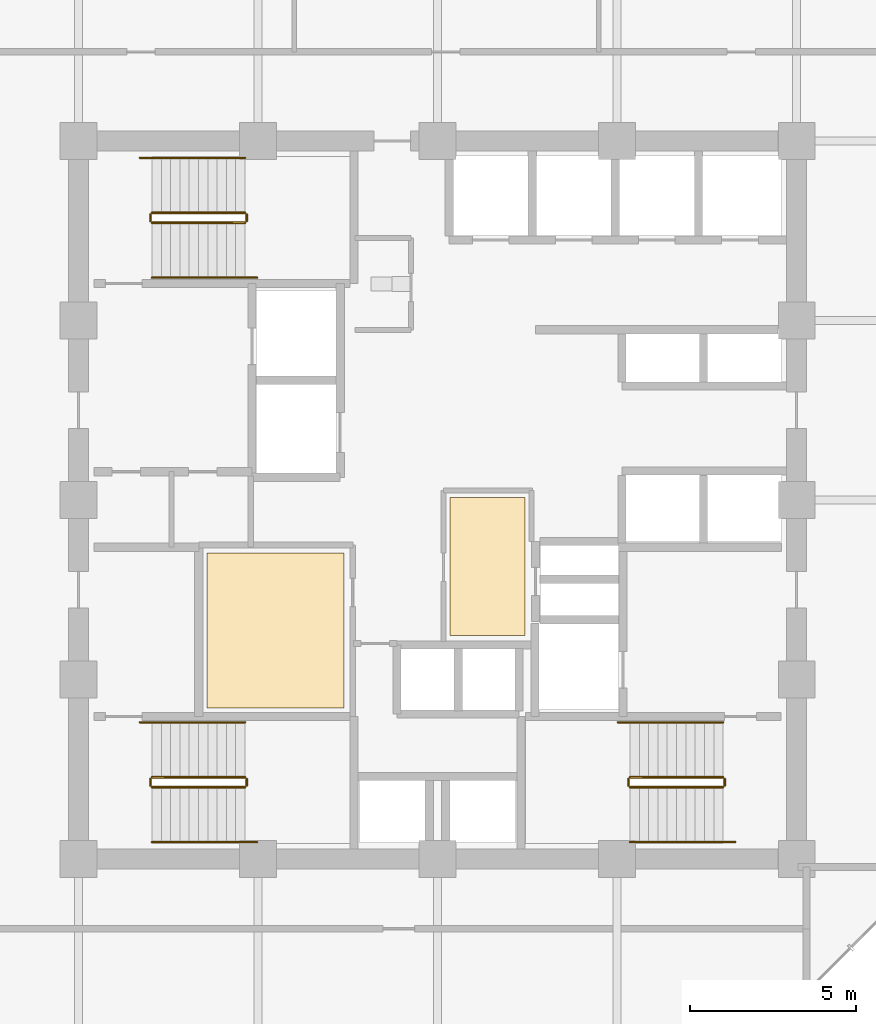
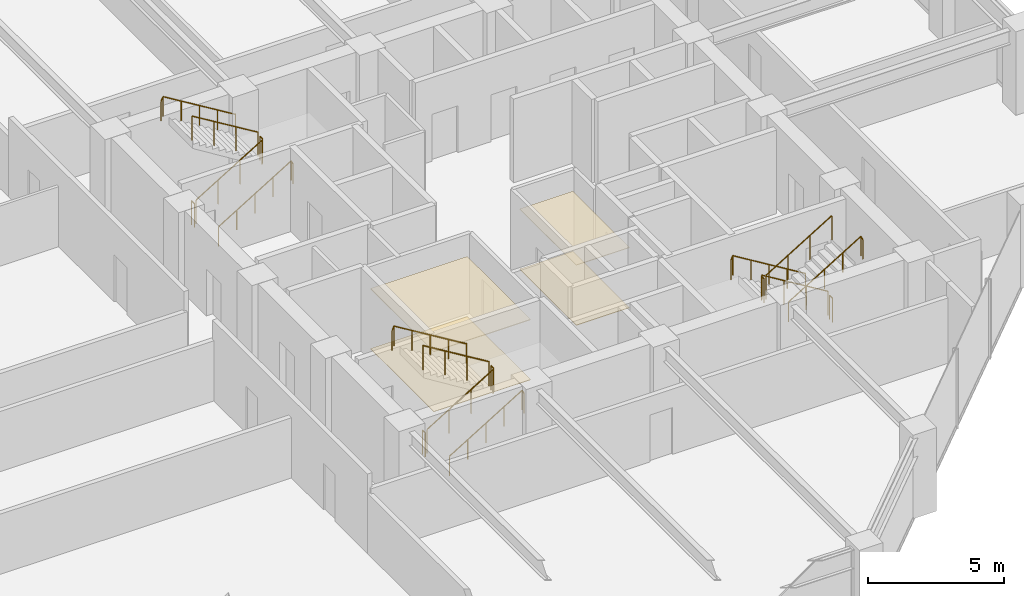
# One storey, part 22 of 23: 18 railings, 4 coverings.
"""IFC4 building model written with IfcOpenShell, lengths in metres."""

import ifcopenshell
import ifcopenshell.guid

model = None  # the IFC model being written
_history = None  # IfcOwnerHistory: only IFC2X3 demands one
_inside = {}  # id of a spatial element -> (the spatial element, [elements in it])
_under = {}  # id of a project, library or spatial element -> (it, [spatial elements below it])
_declared = {}  # id of a project -> (the project, [libraries it declares])
_typed = {}  # id of a type object -> (the type object, [elements of that type])
_made_of = {}  # id of a material, layer set ... -> (it, [elements and type objects made of it])


def new_model(schema):
    """Start an empty IFC model of exactly this schema.

    Asked for "IFC4X3", IfcOpenShell would pick the latest addendum, in which some entities
    have other attributes; the version numbers below select the first issue.
    IFC2X3 requires an IfcOwnerHistory on every rooted entity: one is made here for all.
    """
    global model, _history
    if schema == "IFC4X3":
        model = ifcopenshell.file(schema_version=(4, 3, 0, 0))
    else:
        model = ifcopenshell.file(schema=schema)
    _inside.clear()
    _under.clear()
    _declared.clear()
    _typed.clear()
    _made_of.clear()
    _history = None
    if model.schema == "IFC2X3":
        org = make("IfcOrganization", Name="unknown")
        user = make(
            "IfcPersonAndOrganization",
            ThePerson=make("IfcPerson", FamilyName="unknown"),
            TheOrganization=org,
        )
        app = make(
            "IfcApplication",
            ApplicationDeveloper=org,
            Version="unknown",
            ApplicationFullName="unknown",
            ApplicationIdentifier="unknown",
        )
        _history = make(
            "IfcOwnerHistory",
            OwningUser=user,
            OwningApplication=app,
            ChangeAction="ADDED",
            CreationDate=0,
        )
    return model


def make(cls, **values):
    """One entity of the class cls with the attributes given. An attribute that is None is left unset."""
    return model.create_entity(
        cls, **{name: value for name, value in values.items() if value is not None}
    )


def rooted(cls, **values):
    """An entity with a GlobalId (a new one), such as an element, a storey or a relation."""
    return make(cls, GlobalId=ifcopenshell.guid.new(), OwnerHistory=_history, **values)


def si_unit(unit_type, name, prefix=None):
    """IfcSIUnit, for example si_unit("LENGTHUNIT", "METRE", prefix="MILLI")."""
    return make("IfcSIUnit", UnitType=unit_type, Prefix=prefix, Name=name)


def assignment(units):
    """IfcUnitAssignment: the units of a project."""
    return None if units is None else make("IfcUnitAssignment", Units=units)


def point(xyz):
    """IfcCartesianPoint."""
    return None if xyz is None else make("IfcCartesianPoint", Coordinates=xyz)


def direction(xyz):
    """IfcDirection."""
    return None if xyz is None else make("IfcDirection", DirectionRatios=xyz)


def frame(location, z_axis=None, x_axis=None):
    """IfcAxis2Placement3D, a coordinate frame: its origin and axes. An axis left out is left unset."""
    return make(
        "IfcAxis2Placement3D",
        Location=point(location),
        Axis=direction(z_axis),
        RefDirection=direction(x_axis),
    )


def frame_2d(location, x_axis=None):
    """IfcAxis2Placement2D, a coordinate frame in the plane: its origin and x axis."""
    return make(
        "IfcAxis2Placement2D", Location=point(location), RefDirection=direction(x_axis)
    )


def origin():
    """The frame at (0, 0, 0) with its axes left unset."""
    return frame((0.0, 0.0, 0.0))


def origin_2d():
    """The frame at (0, 0) in the plane with its x axis left unset."""
    return frame_2d((0.0, 0.0))


def place(relative_to, where):
    """IfcLocalPlacement: puts the frame where relative to a parent placement (None: the world)."""
    return make(
        "IfcLocalPlacement", PlacementRelTo=relative_to, RelativePlacement=where
    )


def context(
    kind, dimensions, precision=None, world=None, true_north=None, identifier=None
):
    """IfcGeometricRepresentationContext, for example the 3D "Model" context."""
    return make(
        "IfcGeometricRepresentationContext",
        ContextIdentifier=identifier,
        ContextType=kind,
        CoordinateSpaceDimension=dimensions,
        Precision=precision,
        WorldCoordinateSystem=world,
        TrueNorth=true_north,
    )


def subcontext(parent, identifier, kind, view, scale=None):
    """IfcGeometricRepresentationSubContext, for example "Body" below "Model"."""
    return make(
        "IfcGeometricRepresentationSubContext",
        ContextIdentifier=identifier,
        ContextType=kind,
        ParentContext=parent,
        TargetScale=scale,
        TargetView=view,
    )


def project(units=None, contexts=None):
    """IfcProject with its units and contexts."""
    return rooted(
        "IfcProject",
        Name="project",
        RepresentationContexts=contexts,
        UnitsInContext=assignment(units),
    )


def spatial(cls, under=None, at=None, **own):
    """A site, building, storey or space (cls), placed at a placement, below another one or the project."""
    s = rooted(cls, ObjectPlacement=at, **own)
    if under is not None:
        _under.setdefault(under.id(), (under, []))[1].append(s)
    return s


def polyline(points):
    """IfcPolyline through the points."""
    return make("IfcPolyline", Points=[point(p) for p in points])


def profile(cls, at=None, kind="AREA", **sizes):
    """A parametric profile (cls). Its sizes go by their IFC names, for example OverallWidth=200.0."""
    return make(cls, ProfileType=kind, Position=at, **sizes)


def circle(**sizes):
    """IfcCircleProfileDef."""
    return profile("IfcCircleProfileDef", **sizes)


def outline(outer, holes=None, kind="AREA"):
    """IfcArbitraryClosedProfileDef: a profile drawn as a closed curve; with holes, ...WithVoids."""
    if holes is None:
        return make("IfcArbitraryClosedProfileDef", ProfileType=kind, OuterCurve=outer)
    return make(
        "IfcArbitraryProfileDefWithVoids",
        ProfileType=kind,
        OuterCurve=outer,
        InnerCurves=holes,
    )


def extrude(swept, where, along, depth):
    """IfcExtrudedAreaSolid: the profile swept, set in the frame where, extruded along a direction by depth."""
    return make(
        "IfcExtrudedAreaSolid",
        SweptArea=swept,
        Position=where,
        ExtrudedDirection=direction(along),
        Depth=depth,
    )


def shape(context_of_items, identifier, shape_type, items):
    """IfcShapeRepresentation: the items that make up one representation, for example the "Body"."""
    return make(
        "IfcShapeRepresentation",
        ContextOfItems=context_of_items,
        RepresentationIdentifier=identifier,
        RepresentationType=shape_type,
        Items=items,
    )


def material(Name=None, Category=None):
    """IfcMaterial."""
    return make("IfcMaterial", Name=Name, Category=Category)


def layer(
    of_material, thickness, ventilated=None, Name=None, Category=None, Priority=None
):
    """IfcMaterialLayer: one layer of a wall or slab, of a material (None: an air gap)."""
    return make(
        "IfcMaterialLayer",
        Material=of_material,
        LayerThickness=thickness,
        IsVentilated=ventilated,
        Name=Name,
        Category=Category,
        Priority=Priority,
    )


def layer_set(layers, Name=None):
    """IfcMaterialLayerSet."""
    return make("IfcMaterialLayerSet", MaterialLayers=layers, LayerSetName=Name)


def made_of(thing, what):
    """Note that an element or type object is made of a material, layer set ...; save() writes the relation."""
    if what is not None:
        _made_of.setdefault(what.id(), (what, []))[1].append(thing)
    return thing


def type_object(cls, material=None, **own):
    """A type object (cls), such as IfcWallType, which elements share."""
    return made_of(rooted(cls, **own), material)


def element(
    cls,
    number,
    at=None,
    inside=None,
    cuts=None,
    type_object=None,
    material=None,
    context=None,
    identifier="Body",
    shape_type=None,
    held_by="IfcProductDefinitionShape",
    body=None,
    shapes=None,
    **own,
):
    """One element of the class cls, such as IfcWall. Its Tag is "e" and its number.

    at: its placement. inside: the storey or other place that contains it. cuts: it is an
    opening in that element (IfcRelVoidsElement). A single representation is given by context,
    identifier, shape_type and body (its items); several are given by shapes. held_by: the class
    of the entity that holds the representations. save() writes the other relations.
    """
    e = rooted(cls, Tag="e%d" % number, ObjectPlacement=at, **own)
    if body is not None:
        shapes = [shape(context, identifier, shape_type, body)]
    if shapes is not None:
        e.Representation = make(held_by, Representations=shapes)
    if inside is not None:
        _inside.setdefault(inside.id(), (inside, []))[1].append(e)
    if cuts is not None:
        rooted(
            "IfcRelVoidsElement", RelatingBuildingElement=cuts, RelatedOpeningElement=e
        )
    if type_object is not None:
        _typed.setdefault(type_object.id(), (type_object, []))[1].append(e)
    return made_of(e, material)


def aggregate(whole, parts):
    """IfcRelAggregates: a whole, such as a stair, and the parts it consists of."""
    return rooted("IfcRelAggregates", RelatingObject=whole, RelatedObjects=parts)


def save(model, path):
    """Write the relations noted so far, then the file.

    IfcRelAggregates (storeys below a building ...), IfcRelContainedInSpatialStructure (elements
    in a storey), IfcRelDefinesByType, IfcRelAssociatesMaterial and IfcRelDeclares: one each for
    every whole, place, type object, material and project.
    """
    for whole, parts in _under.values():
        aggregate(whole, parts)
    for where, things in _inside.values():
        rooted(
            "IfcRelContainedInSpatialStructure",
            RelatedElements=things,
            RelatingStructure=where,
        )
    for kind, things in _typed.values():
        rooted("IfcRelDefinesByType", RelatedObjects=things, RelatingType=kind)
    for what, things in _made_of.values():
        rooted("IfcRelAssociatesMaterial", RelatedObjects=things, RelatingMaterial=what)
    for by, libraries in _declared.values():
        rooted("IfcRelDeclares", RelatingContext=by, RelatedDefinitions=libraries)
    model.write(path)


model = new_model("IFC4")

# Units and contexts
model_context = context("Model", 3, precision=1e-05, world=origin(), true_north=direction((0.0, 1.0)))
body_context = subcontext(model_context, "Body", "Model", "MODEL_VIEW")
ifc_project = project(units=[si_unit("LENGTHUNIT", "METRE"), si_unit("AREAUNIT", "SQUARE_METRE"), si_unit("VOLUMEUNIT", "CUBIC_METRE"), si_unit("PLANEANGLEUNIT", "RADIAN"), si_unit("MASSUNIT", "GRAM", prefix="KILO")], contexts=[model_context])

# Site, building, storey
site_placement = place(None, origin())
site = spatial("IfcSite", under=ifc_project, at=site_placement, CompositionType="ELEMENT")
building_placement = place(site_placement, origin())
building = spatial("IfcBuilding", under=site, at=building_placement, Name="Surkhivell Harbour Commons", CompositionType="ELEMENT")
storey_placement = place(building_placement, frame((0.0, 0.0, 128.25)))
storey = spatial("IfcBuildingStorey", under=building, at=storey_placement, Name="L33", CompositionType="ELEMENT", Elevation=128.25)

# Coverings
ifc_material_1 = material(Name="Perforated acoustic mineral-fibre ceiling tile", Category="other")
ifc_layer_1 = layer(ifc_material_1, 0.02490234375)
ifc_layer_set_1 = layer_set([ifc_layer_1], Name="Perforated acoustic mineral-fibre ceiling tile")
covering_type_1 = type_object("IfcCoveringType", Name="COV-CEIL-AC", PredefinedType="CEILING", material=ifc_layer_set_1)
covering_1_placement = place(storey_placement, frame((0.0, 0.0, 2.694091796875)))
element("IfcCovering", 1, at=covering_1_placement, inside=storey, type_object=covering_type_1, Name="L33 Suspended Acoustic Ceiling 1", PredefinedType="CEILING", context=body_context, shape_type="SweptSolid", body=[
    extrude(outline(polyline([(0.3701171875, -4.080078125), (2.6298828125, -4.080078125), (2.6298828125, 0.080078125), (0.3701171875, 0.080078125), (0.3701171875, -4.080078125)])), origin(), (0.0, 0.0, 1.0), 0.02490234375),
])
ifc_material_2 = material(Name="Moisture-resistant gypsum acoustic ceiling board", Category="other")
ifc_layer_2 = layer(ifc_material_2, 0.030029296875)
ifc_layer_set_2 = layer_set([ifc_layer_2], Name="Moisture-resistant gypsum acoustic ceiling board")
covering_type_2 = type_object("IfcCoveringType", Name="COV-CEIL-GYP", PredefinedType="CEILING", material=ifc_layer_set_2)
covering_2_placement = place(storey_placement, frame((0.0, 0.0, 2.68896484375)))
element("IfcCovering", 2, at=covering_2_placement, inside=storey, type_object=covering_type_2, Name="L33 Suspended Acoustic Ceiling 2", PredefinedType="CEILING", context=body_context, shape_type="SweptSolid", body=[
    extrude(outline(polyline([(-6.929931640625, -6.260009765625), (-2.820068359375, -6.260009765625), (-2.820068359375, -1.60009765625), (-6.929931640625, -1.60009765625), (-6.929931640625, -6.260009765625)])), origin(), (0.0, 0.0, 1.0), 0.030029296875),
])
ifc_material_3 = material(Name="Engineered acoustic oak timber flooring", Category="wood")
ifc_layer_3 = layer(ifc_material_3, 0.02001953125)
ifc_layer_set_3 = layer_set([ifc_layer_3], Name="Engineered acoustic oak timber flooring")
covering_type_3 = type_object("IfcCoveringType", Name="COV-FLR-TIM", PredefinedType="FLOORING", material=ifc_layer_set_3)
covering_3_placement = place(storey_placement, origin())
element("IfcCovering", 3, at=covering_3_placement, inside=storey, type_object=covering_type_3, Name="L33 Interior Floor Finish 1", PredefinedType="FLOORING", context=body_context, shape_type="SweptSolid", body=[
    extrude(outline(polyline([(0.3701171875, -4.080078125), (2.6298828125, -4.080078125), (2.6298828125, 0.080078125), (0.3701171875, 0.080078125), (0.3701171875, -4.080078125)])), origin(), (0.0, 0.0, 1.0), 0.02001953125),
])
covering_4_placement = place(storey_placement, origin())
element("IfcCovering", 4, at=covering_4_placement, inside=storey, type_object=covering_type_3, Name="L33 Interior Floor Finish 2", PredefinedType="FLOORING", context=body_context, shape_type="SweptSolid", body=[
    extrude(outline(polyline([(-6.929931640625, -6.260009765625), (-2.820068359375, -6.260009765625), (-2.820068359375, -1.60009765625), (-6.929931640625, -1.60009765625), (-6.929931640625, -6.260009765625)])), origin(), (0.0, 0.0, 1.0), 0.02001953125),
])

# Railings
ifc_material_4 = material(Name="Galvanised and painted steel S355 guard rail", Category="steel")
railing_type_1 = type_object("IfcRailingType", Name="RAL-ST-GRD1100", PredefinedType="GUARDRAIL", material=ifc_material_4)
railing_1_placement = place(storey_placement, frame((-8.590087890625, 8.340087890625, 0.17041015625)))
element("IfcRailing", 5, at=railing_1_placement, inside=storey, type_object=railing_type_1, Name="L33 ST1 stair guard 1", PredefinedType="GUARDRAIL", context=body_context, shape_type="SweptSolid", body=[
    extrude(circle(Radius=0.02392578125, at=origin_2d()), frame((0.0, 0.0, 1.076171875), z_axis=(0.854169791009, 0.0, 0.51999420009), x_axis=(0.0, 1.0, 0.0)), (0.0, 0.0, 1.0), 3.278076171875),
    extrude(circle(Radius=0.02099609375, at=origin_2d()), origin(), (0.0, 0.0, 1.0), 1.052001953125),
    extrude(circle(Radius=0.02099609375, at=origin_2d()), frame((0.933349609375, 0.0, 0.568115234375)), (0.0, 0.0, 1.0), 1.052001953125),
    extrude(circle(Radius=0.02099609375, at=origin_2d()), frame((1.86669921875, 0.0, 1.136474609375)), (0.0, 0.0, 1.0), 1.052001953125),
    extrude(circle(Radius=0.02099609375, at=origin_2d()), frame((2.800048828125, 0.0, 1.70458984375)), (0.0, 0.0, 1.0), 1.052001953125),
])
railing_2_placement = place(storey_placement, frame((-5.739990234375, 8.389892578125, 1.875)))
element("IfcRailing", 6, at=railing_2_placement, inside=storey, type_object=railing_type_1, Name="L33 ST1 stair guard 2", PredefinedType="GUARDRAIL", context=body_context, shape_type="SweptSolid", body=[
    extrude(circle(Radius=0.02392578125, at=origin_2d()), frame((0.0, 0.0, 1.076171875), z_axis=(0.0, 1.0, 0.0), x_axis=(-1.0, 0.0, 0.0)), (0.0, 0.0, 1.0), 0.2001953125),
    extrude(circle(Radius=0.02099609375, at=origin_2d()), origin(), (0.0, 0.0, 1.0), 1.052001953125),
    extrude(circle(Radius=0.02099609375, at=origin_2d()), frame((0.0, 0.2001953125, 0.0)), (0.0, 0.0, 1.0), 1.052001953125),
])
railing_3_placement = place(storey_placement, frame((-5.7900390625, 8.639892578125, 2.04541015625)))
element("IfcRailing", 7, at=railing_3_placement, inside=storey, type_object=railing_type_1, Name="L33 ST1 stair guard 3", PredefinedType="GUARDRAIL", context=body_context, shape_type="SweptSolid", body=[
    extrude(circle(Radius=0.02392578125, at=origin_2d()), frame((0.0, 0.0, 1.076171875), z_axis=(-0.854169791009, 0.0, 0.51999420009), x_axis=(0.0, -1.0, 0.0)), (0.0, 0.0, 1.0), 3.278076171875),
    extrude(circle(Radius=0.02099609375, at=origin_2d()), origin(), (0.0, 0.0, 1.0), 1.052001953125),
    extrude(circle(Radius=0.02099609375, at=origin_2d()), frame((-0.933349609375, 0.0, 0.568115234375)), (0.0, 0.0, 1.0), 1.052001953125),
    extrude(circle(Radius=0.02099609375, at=origin_2d()), frame((-1.86669921875, 0.0, 1.136474609375)), (0.0, 0.0, 1.0), 1.052001953125),
    extrude(circle(Radius=0.02099609375, at=origin_2d()), frame((-2.800048828125, 0.0, 1.70458984375)), (0.0, 0.0, 1.0), 1.052001953125),
])
railing_4_placement = place(storey_placement, frame((-8.639892578125, 8.389892578125, 0.0)))
element("IfcRailing", 8, at=railing_4_placement, inside=storey, type_object=railing_type_1, Name="L33 ST1 stair guard 4", PredefinedType="GUARDRAIL", context=body_context, shape_type="SweptSolid", body=[
    extrude(circle(Radius=0.02392578125, at=origin_2d()), frame((0.0, 0.0, 1.076171875), z_axis=(0.0, 1.0, 0.0), x_axis=(-1.0, 0.0, 0.0)), (0.0, 0.0, 1.0), 0.2001953125),
    extrude(circle(Radius=0.02099609375, at=origin_2d()), origin(), (0.0, 0.0, 1.0), 1.052001953125),
    extrude(circle(Radius=0.02099609375, at=origin_2d()), frame((0.0, 0.2001953125, 0.0)), (0.0, 0.0, 1.0), 1.052001953125),
])
railing_5_placement = place(storey_placement, frame((8.590087890625, -8.340087890625, 0.17041015625)))
element("IfcRailing", 9, at=railing_5_placement, inside=storey, type_object=railing_type_1, Name="L33 ST2 stair guard 1", PredefinedType="GUARDRAIL", context=body_context, shape_type="SweptSolid", body=[
    extrude(circle(Radius=0.02392578125, at=origin_2d()), frame((0.0, 0.0, 1.076171875), z_axis=(-0.854169791009, 0.0, 0.51999420009), x_axis=(0.0, -1.0, 0.0)), (0.0, 0.0, 1.0), 3.278076171875),
    extrude(circle(Radius=0.02099609375, at=origin_2d()), origin(), (0.0, 0.0, 1.0), 1.052001953125),
    extrude(circle(Radius=0.02099609375, at=origin_2d()), frame((-0.933349609375, 0.0, 0.568115234375)), (0.0, 0.0, 1.0), 1.052001953125),
    extrude(circle(Radius=0.02099609375, at=origin_2d()), frame((-1.86669921875, 0.0, 1.136474609375)), (0.0, 0.0, 1.0), 1.052001953125),
    extrude(circle(Radius=0.02099609375, at=origin_2d()), frame((-2.800048828125, 0.0, 1.70458984375)), (0.0, 0.0, 1.0), 1.052001953125),
])
railing_6_placement = place(storey_placement, frame((5.739990234375, -8.389892578125, 1.875)))
element("IfcRailing", 10, at=railing_6_placement, inside=storey, type_object=railing_type_1, Name="L33 ST2 stair guard 2", PredefinedType="GUARDRAIL", context=body_context, shape_type="SweptSolid", body=[
    extrude(circle(Radius=0.02392578125, at=origin_2d()), frame((0.0, 0.0, 1.076171875), z_axis=(0.0, -1.0, 0.0), x_axis=(1.0, 0.0, 0.0)), (0.0, 0.0, 1.0), 0.2001953125),
    extrude(circle(Radius=0.02099609375, at=origin_2d()), origin(), (0.0, 0.0, 1.0), 1.052001953125),
    extrude(circle(Radius=0.02099609375, at=origin_2d()), frame((0.0, -0.2001953125, 0.0)), (0.0, 0.0, 1.0), 1.052001953125),
])
railing_7_placement = place(storey_placement, frame((5.7900390625, -8.639892578125, 2.04541015625)))
element("IfcRailing", 11, at=railing_7_placement, inside=storey, type_object=railing_type_1, Name="L33 ST2 stair guard 3", PredefinedType="GUARDRAIL", context=body_context, shape_type="SweptSolid", body=[
    extrude(circle(Radius=0.02392578125, at=origin_2d()), frame((0.0, 0.0, 1.076171875), z_axis=(0.854169791009, 0.0, 0.51999420009), x_axis=(0.0, 1.0, 0.0)), (0.0, 0.0, 1.0), 3.278076171875),
    extrude(circle(Radius=0.02099609375, at=origin_2d()), origin(), (0.0, 0.0, 1.0), 1.052001953125),
    extrude(circle(Radius=0.02099609375, at=origin_2d()), frame((0.933349609375, 0.0, 0.568115234375)), (0.0, 0.0, 1.0), 1.052001953125),
    extrude(circle(Radius=0.02099609375, at=origin_2d()), frame((1.86669921875, 0.0, 1.136474609375)), (0.0, 0.0, 1.0), 1.052001953125),
    extrude(circle(Radius=0.02099609375, at=origin_2d()), frame((2.800048828125, 0.0, 1.70458984375)), (0.0, 0.0, 1.0), 1.052001953125),
])
railing_8_placement = place(storey_placement, frame((8.639892578125, -8.389892578125, 0.0)))
element("IfcRailing", 12, at=railing_8_placement, inside=storey, type_object=railing_type_1, Name="L33 ST2 stair guard 4", PredefinedType="GUARDRAIL", context=body_context, shape_type="SweptSolid", body=[
    extrude(circle(Radius=0.02392578125, at=origin_2d()), frame((0.0, 0.0, 1.076171875), z_axis=(0.0, -1.0, 0.0), x_axis=(1.0, 0.0, 0.0)), (0.0, 0.0, 1.0), 0.2001953125),
    extrude(circle(Radius=0.02099609375, at=origin_2d()), origin(), (0.0, 0.0, 1.0), 1.052001953125),
    extrude(circle(Radius=0.02099609375, at=origin_2d()), frame((0.0, -0.2001953125, 0.0)), (0.0, 0.0, 1.0), 1.052001953125),
])
railing_9_placement = place(storey_placement, frame((-8.590087890625, -8.639892578125, 0.17041015625)))
element("IfcRailing", 13, at=railing_9_placement, inside=storey, type_object=railing_type_1, Name="L33 ST3 stair guard 1", PredefinedType="GUARDRAIL", context=body_context, shape_type="SweptSolid", body=[
    extrude(circle(Radius=0.02392578125, at=origin_2d()), frame((0.0, 0.0, 1.076171875), z_axis=(0.854169791009, 0.0, 0.51999420009), x_axis=(0.0, 1.0, 0.0)), (0.0, 0.0, 1.0), 3.278076171875),
    extrude(circle(Radius=0.02099609375, at=origin_2d()), origin(), (0.0, 0.0, 1.0), 1.052001953125),
    extrude(circle(Radius=0.02099609375, at=origin_2d()), frame((0.933349609375, 0.0, 0.568115234375)), (0.0, 0.0, 1.0), 1.052001953125),
    extrude(circle(Radius=0.02099609375, at=origin_2d()), frame((1.86669921875, 0.0, 1.136474609375)), (0.0, 0.0, 1.0), 1.052001953125),
    extrude(circle(Radius=0.02099609375, at=origin_2d()), frame((2.800048828125, 0.0, 1.70458984375)), (0.0, 0.0, 1.0), 1.052001953125),
])
railing_10_placement = place(storey_placement, frame((-5.739990234375, -8.590087890625, 1.875)))
element("IfcRailing", 14, at=railing_10_placement, inside=storey, type_object=railing_type_1, Name="L33 ST3 stair guard 2", PredefinedType="GUARDRAIL", context=body_context, shape_type="SweptSolid", body=[
    extrude(circle(Radius=0.02392578125, at=origin_2d()), frame((0.0, 0.0, 1.076171875), z_axis=(0.0, 1.0, 0.0), x_axis=(-1.0, 0.0, 0.0)), (0.0, 0.0, 1.0), 0.2001953125),
    extrude(circle(Radius=0.02099609375, at=origin_2d()), origin(), (0.0, 0.0, 1.0), 1.052001953125),
    extrude(circle(Radius=0.02099609375, at=origin_2d()), frame((0.0, 0.2001953125, 0.0)), (0.0, 0.0, 1.0), 1.052001953125),
])
railing_11_placement = place(storey_placement, frame((-5.7900390625, -8.340087890625, 2.04541015625)))
element("IfcRailing", 15, at=railing_11_placement, inside=storey, type_object=railing_type_1, Name="L33 ST3 stair guard 3", PredefinedType="GUARDRAIL", context=body_context, shape_type="SweptSolid", body=[
    extrude(circle(Radius=0.02392578125, at=origin_2d()), frame((0.0, 0.0, 1.076171875), z_axis=(-0.854169791009, 0.0, 0.51999420009), x_axis=(0.0, -1.0, 0.0)), (0.0, 0.0, 1.0), 3.278076171875),
    extrude(circle(Radius=0.02099609375, at=origin_2d()), origin(), (0.0, 0.0, 1.0), 1.052001953125),
    extrude(circle(Radius=0.02099609375, at=origin_2d()), frame((-0.933349609375, 0.0, 0.568115234375)), (0.0, 0.0, 1.0), 1.052001953125),
    extrude(circle(Radius=0.02099609375, at=origin_2d()), frame((-1.86669921875, 0.0, 1.136474609375)), (0.0, 0.0, 1.0), 1.052001953125),
    extrude(circle(Radius=0.02099609375, at=origin_2d()), frame((-2.800048828125, 0.0, 1.70458984375)), (0.0, 0.0, 1.0), 1.052001953125),
])
railing_12_placement = place(storey_placement, frame((-8.639892578125, -8.590087890625, 0.0)))
element("IfcRailing", 16, at=railing_12_placement, inside=storey, type_object=railing_type_1, Name="L33 ST3 stair guard 4", PredefinedType="GUARDRAIL", context=body_context, shape_type="SweptSolid", body=[
    extrude(circle(Radius=0.02392578125, at=origin_2d()), frame((0.0, 0.0, 1.076171875), z_axis=(0.0, 1.0, 0.0), x_axis=(-1.0, 0.0, 0.0)), (0.0, 0.0, 1.0), 0.2001953125),
    extrude(circle(Radius=0.02099609375, at=origin_2d()), origin(), (0.0, 0.0, 1.0), 1.052001953125),
    extrude(circle(Radius=0.02099609375, at=origin_2d()), frame((0.0, 0.2001953125, 0.0)), (0.0, 0.0, 1.0), 1.052001953125),
])
ifc_material_5 = material(Name="Brushed stainless steel S355 handrail", Category="steel")
railing_type_2 = type_object("IfcRailingType", Name="RAL-ST-HND900", PredefinedType="HANDRAIL", material=ifc_material_5)
railing_13_placement = place(storey_placement, frame((-8.590087890625, 6.68994140625, 0.17041015625)))
element("IfcRailing", 17, at=railing_13_placement, inside=storey, type_object=railing_type_2, Name="L33 ST1 stair handrail 1", PredefinedType="HANDRAIL", context=body_context, shape_type="SweptSolid", body=[
    extrude(circle(Radius=0.02392578125, at=origin_2d()), frame((0.0, 0.0, 0.8759765625), z_axis=(0.854177636135, 0.0, 0.519981313056), x_axis=(0.0, 1.0, 0.0)), (0.0, 0.0, 1.0), 3.60595703125),
    extrude(circle(Radius=0.02392578125, at=origin_2d()), frame((3.080078125, 0.0, 2.7509765625), z_axis=(0.425297416671, 0.0, -0.905053648892), x_axis=(0.0, 1.0, 0.0)), (0.0, 0.0, 1.0), 0.188232421875),
    extrude(circle(Radius=0.02099609375, at=origin_2d()), origin(), (0.0, 0.0, 1.0), 0.851806640625),
    extrude(circle(Radius=0.02099609375, at=origin_2d()), frame((0.77001953125, 0.0, 0.46875)), (0.0, 0.0, 1.0), 0.851806640625),
    extrude(circle(Radius=0.02099609375, at=origin_2d()), frame((1.5400390625, 0.0, 0.9375)), (0.0, 0.0, 1.0), 0.851806640625),
    extrude(circle(Radius=0.02099609375, at=origin_2d()), frame((2.31005859375, 0.0, 1.40625)), (0.0, 0.0, 1.0), 0.851806640625),
    extrude(circle(Radius=0.02099609375, at=origin_2d()), frame((3.080078125, 0.0, 1.875)), (0.0, 0.0, 1.0), 0.851806640625),
    extrude(circle(Radius=0.02099609375, at=origin_2d()), frame((3.16015625, 0.0, 1.70458984375)), (0.0, 0.0, 1.0), 0.851806640625),
])
railing_14_placement = place(storey_placement, frame((-5.7900390625, 10.2900390625, 2.04541015625)))
element("IfcRailing", 18, at=railing_14_placement, inside=storey, type_object=railing_type_2, Name="L33 ST1 stair handrail 2", PredefinedType="HANDRAIL", context=body_context, shape_type="SweptSolid", body=[
    extrude(circle(Radius=0.02392578125, at=origin_2d()), frame((0.0, 0.0, 0.8759765625), z_axis=(-0.854177636135, 0.0, 0.519981313056), x_axis=(0.0, -1.0, 0.0)), (0.0, 0.0, 1.0), 3.60595703125),
    extrude(circle(Radius=0.02392578125, at=origin_2d()), frame((-3.080078125, 0.0, 2.7509765625), z_axis=(-0.424234432967, 0.0, -0.905552398199), x_axis=(0.0, -1.0, 0.0)), (0.0, 0.0, 1.0), 0.188232421875),
    extrude(circle(Radius=0.02099609375, at=origin_2d()), origin(), (0.0, 0.0, 1.0), 0.851806640625),
    extrude(circle(Radius=0.02099609375, at=origin_2d()), frame((-0.77001953125, 0.0, 0.46875)), (0.0, 0.0, 1.0), 0.851806640625),
    extrude(circle(Radius=0.02099609375, at=origin_2d()), frame((-1.5400390625, 0.0, 0.9375)), (0.0, 0.0, 1.0), 0.851806640625),
    extrude(circle(Radius=0.02099609375, at=origin_2d()), frame((-2.31005859375, 0.0, 1.40625)), (0.0, 0.0, 1.0), 0.851806640625),
    extrude(circle(Radius=0.02099609375, at=origin_2d()), frame((-3.080078125, 0.0, 1.875)), (0.0, 0.0, 1.0), 0.851806640625),
    extrude(circle(Radius=0.02099609375, at=origin_2d()), frame((-3.159912109375, 0.0, 1.70458984375)), (0.0, 0.0, 1.0), 0.851806640625),
])
railing_15_placement = place(storey_placement, frame((8.590087890625, -6.68994140625, 0.17041015625)))
element("IfcRailing", 19, at=railing_15_placement, inside=storey, type_object=railing_type_2, Name="L33 ST2 stair handrail 1", PredefinedType="HANDRAIL", context=body_context, shape_type="SweptSolid", body=[
    extrude(circle(Radius=0.02392578125, at=origin_2d()), frame((0.0, 0.0, 0.8759765625), z_axis=(-0.854177636135, 0.0, 0.519981313056), x_axis=(0.0, -1.0, 0.0)), (0.0, 0.0, 1.0), 3.60595703125),
    extrude(circle(Radius=0.02392578125, at=origin_2d()), frame((-3.080078125, 0.0, 2.7509765625), z_axis=(-0.425297416671, 0.0, -0.905053648892), x_axis=(0.0, -1.0, 0.0)), (0.0, 0.0, 1.0), 0.188232421875),
    extrude(circle(Radius=0.02099609375, at=origin_2d()), origin(), (0.0, 0.0, 1.0), 0.851806640625),
    extrude(circle(Radius=0.02099609375, at=origin_2d()), frame((-0.77001953125, 0.0, 0.46875)), (0.0, 0.0, 1.0), 0.851806640625),
    extrude(circle(Radius=0.02099609375, at=origin_2d()), frame((-1.5400390625, 0.0, 0.9375)), (0.0, 0.0, 1.0), 0.851806640625),
    extrude(circle(Radius=0.02099609375, at=origin_2d()), frame((-2.31005859375, 0.0, 1.40625)), (0.0, 0.0, 1.0), 0.851806640625),
    extrude(circle(Radius=0.02099609375, at=origin_2d()), frame((-3.080078125, 0.0, 1.875)), (0.0, 0.0, 1.0), 0.851806640625),
    extrude(circle(Radius=0.02099609375, at=origin_2d()), frame((-3.16015625, 0.0, 1.70458984375)), (0.0, 0.0, 1.0), 0.851806640625),
])
railing_16_placement = place(storey_placement, frame((5.7900390625, -10.2900390625, 2.04541015625)))
element("IfcRailing", 20, at=railing_16_placement, inside=storey, type_object=railing_type_2, Name="L33 ST2 stair handrail 2", PredefinedType="HANDRAIL", context=body_context, shape_type="SweptSolid", body=[
    extrude(circle(Radius=0.02392578125, at=origin_2d()), frame((0.0, 0.0, 0.8759765625), z_axis=(0.854177636135, 0.0, 0.519981313056), x_axis=(0.0, 1.0, 0.0)), (0.0, 0.0, 1.0), 3.60595703125),
    extrude(circle(Radius=0.02392578125, at=origin_2d()), frame((3.080078125, 0.0, 2.7509765625), z_axis=(0.424234432967, 0.0, -0.905552398199), x_axis=(0.0, 1.0, 0.0)), (0.0, 0.0, 1.0), 0.188232421875),
    extrude(circle(Radius=0.02099609375, at=origin_2d()), origin(), (0.0, 0.0, 1.0), 0.851806640625),
    extrude(circle(Radius=0.02099609375, at=origin_2d()), frame((0.77001953125, 0.0, 0.46875)), (0.0, 0.0, 1.0), 0.851806640625),
    extrude(circle(Radius=0.02099609375, at=origin_2d()), frame((1.5400390625, 0.0, 0.9375)), (0.0, 0.0, 1.0), 0.851806640625),
    extrude(circle(Radius=0.02099609375, at=origin_2d()), frame((2.31005859375, 0.0, 1.40625)), (0.0, 0.0, 1.0), 0.851806640625),
    extrude(circle(Radius=0.02099609375, at=origin_2d()), frame((3.080078125, 0.0, 1.875)), (0.0, 0.0, 1.0), 0.851806640625),
    extrude(circle(Radius=0.02099609375, at=origin_2d()), frame((3.159912109375, 0.0, 1.70458984375)), (0.0, 0.0, 1.0), 0.851806640625),
])
railing_17_placement = place(storey_placement, frame((-8.590087890625, -10.2900390625, 0.17041015625)))
element("IfcRailing", 21, at=railing_17_placement, inside=storey, type_object=railing_type_2, Name="L33 ST3 stair handrail 1", PredefinedType="HANDRAIL", context=body_context, shape_type="SweptSolid", body=[
    extrude(circle(Radius=0.02392578125, at=origin_2d()), frame((0.0, 0.0, 0.8759765625), z_axis=(0.854177636135, 0.0, 0.519981313056), x_axis=(0.0, 1.0, 0.0)), (0.0, 0.0, 1.0), 3.60595703125),
    extrude(circle(Radius=0.02392578125, at=origin_2d()), frame((3.080078125, 0.0, 2.7509765625), z_axis=(0.425297416671, 0.0, -0.905053648892), x_axis=(0.0, 1.0, 0.0)), (0.0, 0.0, 1.0), 0.188232421875),
    extrude(circle(Radius=0.02099609375, at=origin_2d()), origin(), (0.0, 0.0, 1.0), 0.851806640625),
    extrude(circle(Radius=0.02099609375, at=origin_2d()), frame((0.77001953125, 0.0, 0.46875)), (0.0, 0.0, 1.0), 0.851806640625),
    extrude(circle(Radius=0.02099609375, at=origin_2d()), frame((1.5400390625, 0.0, 0.9375)), (0.0, 0.0, 1.0), 0.851806640625),
    extrude(circle(Radius=0.02099609375, at=origin_2d()), frame((2.31005859375, 0.0, 1.40625)), (0.0, 0.0, 1.0), 0.851806640625),
    extrude(circle(Radius=0.02099609375, at=origin_2d()), frame((3.080078125, 0.0, 1.875)), (0.0, 0.0, 1.0), 0.851806640625),
    extrude(circle(Radius=0.02099609375, at=origin_2d()), frame((3.16015625, 0.0, 1.70458984375)), (0.0, 0.0, 1.0), 0.851806640625),
])
railing_18_placement = place(storey_placement, frame((-5.7900390625, -6.68994140625, 2.04541015625)))
element("IfcRailing", 22, at=railing_18_placement, inside=storey, type_object=railing_type_2, Name="L33 ST3 stair handrail 2", PredefinedType="HANDRAIL", context=body_context, shape_type="SweptSolid", body=[
    extrude(circle(Radius=0.02392578125, at=origin_2d()), frame((0.0, 0.0, 0.8759765625), z_axis=(-0.854177636135, 0.0, 0.519981313056), x_axis=(0.0, -1.0, 0.0)), (0.0, 0.0, 1.0), 3.60595703125),
    extrude(circle(Radius=0.02392578125, at=origin_2d()), frame((-3.080078125, 0.0, 2.7509765625), z_axis=(-0.424234432967, 0.0, -0.905552398199), x_axis=(0.0, -1.0, 0.0)), (0.0, 0.0, 1.0), 0.188232421875),
    extrude(circle(Radius=0.02099609375, at=origin_2d()), origin(), (0.0, 0.0, 1.0), 0.851806640625),
    extrude(circle(Radius=0.02099609375, at=origin_2d()), frame((-0.77001953125, 0.0, 0.46875)), (0.0, 0.0, 1.0), 0.851806640625),
    extrude(circle(Radius=0.02099609375, at=origin_2d()), frame((-1.5400390625, 0.0, 0.9375)), (0.0, 0.0, 1.0), 0.851806640625),
    extrude(circle(Radius=0.02099609375, at=origin_2d()), frame((-2.31005859375, 0.0, 1.40625)), (0.0, 0.0, 1.0), 0.851806640625),
    extrude(circle(Radius=0.02099609375, at=origin_2d()), frame((-3.080078125, 0.0, 1.875)), (0.0, 0.0, 1.0), 0.851806640625),
    extrude(circle(Radius=0.02099609375, at=origin_2d()), frame((-3.159912109375, 0.0, 1.70458984375)), (0.0, 0.0, 1.0), 0.851806640625),
])

save(model, "model.ifc")
